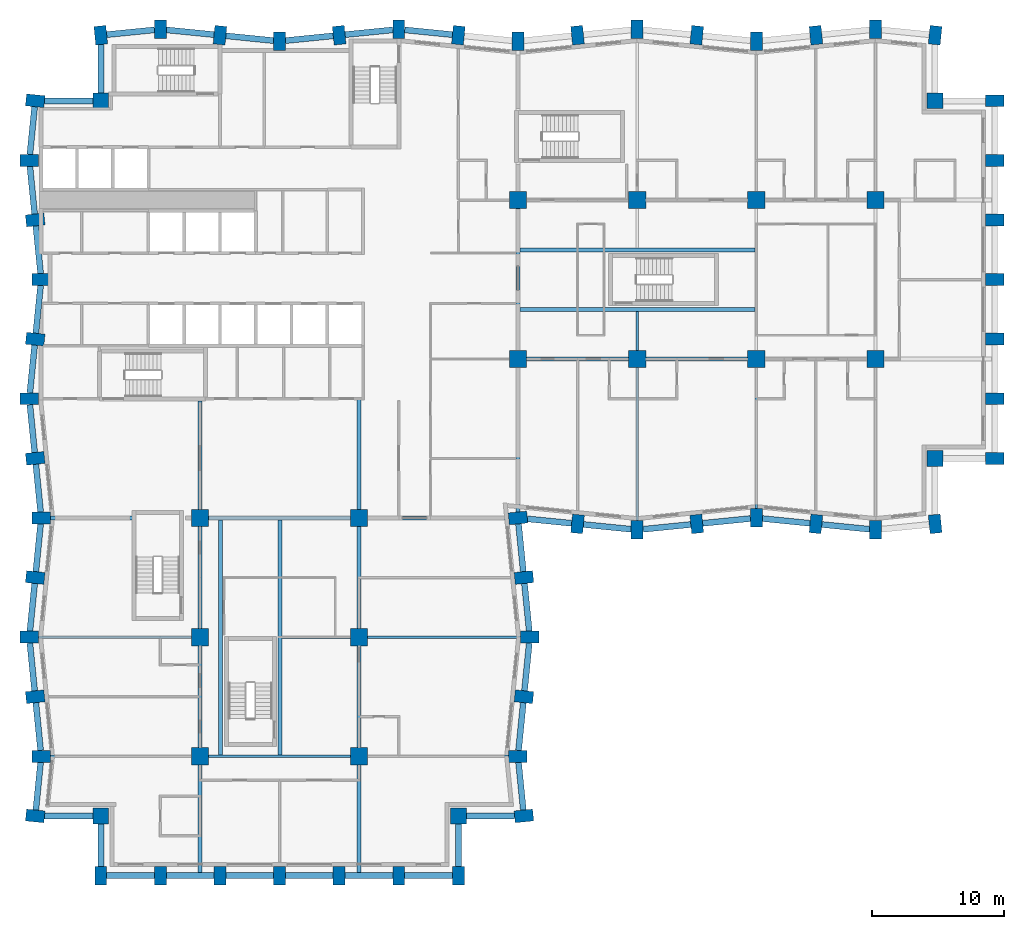
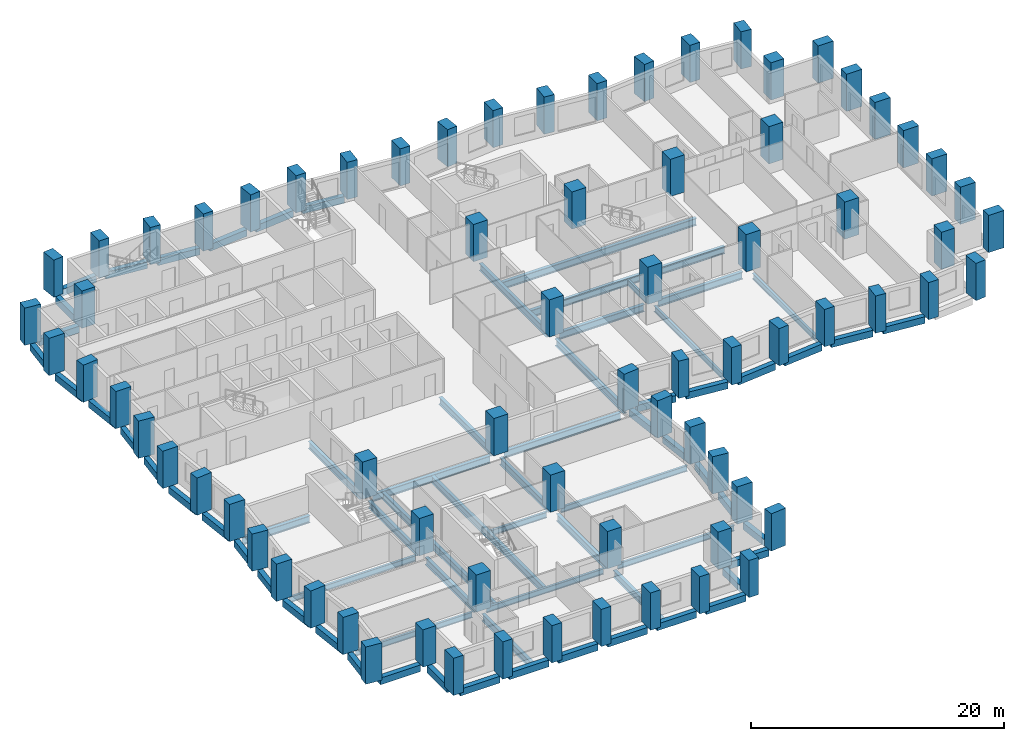
# One storey, part 1 of 13: 74 columns, 69 beams.
"""IFC4 building model written with IfcOpenShell, lengths in metres."""

import ifcopenshell
import ifcopenshell.guid

model = None  # the IFC model being written
_history = None  # IfcOwnerHistory: only IFC2X3 demands one
_inside = {}  # id of a spatial element -> (the spatial element, [elements in it])
_under = {}  # id of a project, library or spatial element -> (it, [spatial elements below it])
_declared = {}  # id of a project -> (the project, [libraries it declares])
_typed = {}  # id of a type object -> (the type object, [elements of that type])
_made_of = {}  # id of a material, layer set ... -> (it, [elements and type objects made of it])


def new_model(schema):
    """Start an empty IFC model of exactly this schema.

    Asked for "IFC4X3", IfcOpenShell would pick the latest addendum, in which some entities
    have other attributes; the version numbers below select the first issue.
    IFC2X3 requires an IfcOwnerHistory on every rooted entity: one is made here for all.
    """
    global model, _history
    if schema == "IFC4X3":
        model = ifcopenshell.file(schema_version=(4, 3, 0, 0))
    else:
        model = ifcopenshell.file(schema=schema)
    _inside.clear()
    _under.clear()
    _declared.clear()
    _typed.clear()
    _made_of.clear()
    _history = None
    if model.schema == "IFC2X3":
        org = make("IfcOrganization", Name="unknown")
        user = make(
            "IfcPersonAndOrganization",
            ThePerson=make("IfcPerson", FamilyName="unknown"),
            TheOrganization=org,
        )
        app = make(
            "IfcApplication",
            ApplicationDeveloper=org,
            Version="unknown",
            ApplicationFullName="unknown",
            ApplicationIdentifier="unknown",
        )
        _history = make(
            "IfcOwnerHistory",
            OwningUser=user,
            OwningApplication=app,
            ChangeAction="ADDED",
            CreationDate=0,
        )
    return model


def make(cls, **values):
    """One entity of the class cls with the attributes given. An attribute that is None is left unset."""
    return model.create_entity(
        cls, **{name: value for name, value in values.items() if value is not None}
    )


def rooted(cls, **values):
    """An entity with a GlobalId (a new one), such as an element, a storey or a relation."""
    return make(cls, GlobalId=ifcopenshell.guid.new(), OwnerHistory=_history, **values)


def si_unit(unit_type, name, prefix=None):
    """IfcSIUnit, for example si_unit("LENGTHUNIT", "METRE", prefix="MILLI")."""
    return make("IfcSIUnit", UnitType=unit_type, Prefix=prefix, Name=name)


def assignment(units):
    """IfcUnitAssignment: the units of a project."""
    return None if units is None else make("IfcUnitAssignment", Units=units)


def point(xyz):
    """IfcCartesianPoint."""
    return None if xyz is None else make("IfcCartesianPoint", Coordinates=xyz)


def direction(xyz):
    """IfcDirection."""
    return None if xyz is None else make("IfcDirection", DirectionRatios=xyz)


def frame(location, z_axis=None, x_axis=None):
    """IfcAxis2Placement3D, a coordinate frame: its origin and axes. An axis left out is left unset."""
    return make(
        "IfcAxis2Placement3D",
        Location=point(location),
        Axis=direction(z_axis),
        RefDirection=direction(x_axis),
    )


def frame_2d(location, x_axis=None):
    """IfcAxis2Placement2D, a coordinate frame in the plane: its origin and x axis."""
    return make(
        "IfcAxis2Placement2D", Location=point(location), RefDirection=direction(x_axis)
    )


def origin():
    """The frame at (0, 0, 0) with its axes left unset."""
    return frame((0.0, 0.0, 0.0))


def origin_2d():
    """The frame at (0, 0) in the plane with its x axis left unset."""
    return frame_2d((0.0, 0.0))


def place(relative_to, where):
    """IfcLocalPlacement: puts the frame where relative to a parent placement (None: the world)."""
    return make(
        "IfcLocalPlacement", PlacementRelTo=relative_to, RelativePlacement=where
    )


def context(
    kind, dimensions, precision=None, world=None, true_north=None, identifier=None
):
    """IfcGeometricRepresentationContext, for example the 3D "Model" context."""
    return make(
        "IfcGeometricRepresentationContext",
        ContextIdentifier=identifier,
        ContextType=kind,
        CoordinateSpaceDimension=dimensions,
        Precision=precision,
        WorldCoordinateSystem=world,
        TrueNorth=true_north,
    )


def subcontext(parent, identifier, kind, view, scale=None):
    """IfcGeometricRepresentationSubContext, for example "Body" below "Model"."""
    return make(
        "IfcGeometricRepresentationSubContext",
        ContextIdentifier=identifier,
        ContextType=kind,
        ParentContext=parent,
        TargetScale=scale,
        TargetView=view,
    )


def project(units=None, contexts=None):
    """IfcProject with its units and contexts."""
    return rooted(
        "IfcProject",
        Name="project",
        RepresentationContexts=contexts,
        UnitsInContext=assignment(units),
    )


def spatial(cls, under=None, at=None, **own):
    """A site, building, storey or space (cls), placed at a placement, below another one or the project."""
    s = rooted(cls, ObjectPlacement=at, **own)
    if under is not None:
        _under.setdefault(under.id(), (under, []))[1].append(s)
    return s


def profile(cls, at=None, kind="AREA", **sizes):
    """A parametric profile (cls). Its sizes go by their IFC names, for example OverallWidth=200.0."""
    return make(cls, ProfileType=kind, Position=at, **sizes)


def rectangle(**sizes):
    """IfcRectangleProfileDef."""
    return profile("IfcRectangleProfileDef", **sizes)


def i_section(**sizes):
    """IfcIShapeProfileDef."""
    return profile("IfcIShapeProfileDef", **sizes)


def extrude(swept, where, along, depth):
    """IfcExtrudedAreaSolid: the profile swept, set in the frame where, extruded along a direction by depth."""
    return make(
        "IfcExtrudedAreaSolid",
        SweptArea=swept,
        Position=where,
        ExtrudedDirection=direction(along),
        Depth=depth,
    )


def shape(context_of_items, identifier, shape_type, items):
    """IfcShapeRepresentation: the items that make up one representation, for example the "Body"."""
    return make(
        "IfcShapeRepresentation",
        ContextOfItems=context_of_items,
        RepresentationIdentifier=identifier,
        RepresentationType=shape_type,
        Items=items,
    )


def material(Name=None, Category=None):
    """IfcMaterial."""
    return make("IfcMaterial", Name=Name, Category=Category)


def material_profile(
    of_material, cross_section, Name=None, Category=None, Priority=None
):
    """IfcMaterialProfile: a cross section and its material."""
    return make(
        "IfcMaterialProfile",
        Name=Name,
        Material=of_material,
        Profile=cross_section,
        Priority=Priority,
        Category=Category,
    )


def profile_set(profiles, Name=None, composite=None):
    """IfcMaterialProfileSet."""
    return make(
        "IfcMaterialProfileSet",
        Name=Name,
        MaterialProfiles=profiles,
        CompositeProfile=composite,
    )


def made_of(thing, what):
    """Note that an element or type object is made of a material, layer set ...; save() writes the relation."""
    if what is not None:
        _made_of.setdefault(what.id(), (what, []))[1].append(thing)
    return thing


def type_object(cls, material=None, **own):
    """A type object (cls), such as IfcWallType, which elements share."""
    return made_of(rooted(cls, **own), material)


def element(
    cls,
    number,
    at=None,
    inside=None,
    cuts=None,
    type_object=None,
    material=None,
    context=None,
    identifier="Body",
    shape_type=None,
    held_by="IfcProductDefinitionShape",
    body=None,
    shapes=None,
    **own,
):
    """One element of the class cls, such as IfcWall. Its Tag is "e" and its number.

    at: its placement. inside: the storey or other place that contains it. cuts: it is an
    opening in that element (IfcRelVoidsElement). A single representation is given by context,
    identifier, shape_type and body (its items); several are given by shapes. held_by: the class
    of the entity that holds the representations. save() writes the other relations.
    """
    e = rooted(cls, Tag="e%d" % number, ObjectPlacement=at, **own)
    if body is not None:
        shapes = [shape(context, identifier, shape_type, body)]
    if shapes is not None:
        e.Representation = make(held_by, Representations=shapes)
    if inside is not None:
        _inside.setdefault(inside.id(), (inside, []))[1].append(e)
    if cuts is not None:
        rooted(
            "IfcRelVoidsElement", RelatingBuildingElement=cuts, RelatedOpeningElement=e
        )
    if type_object is not None:
        _typed.setdefault(type_object.id(), (type_object, []))[1].append(e)
    return made_of(e, material)


def aggregate(whole, parts):
    """IfcRelAggregates: a whole, such as a stair, and the parts it consists of."""
    return rooted("IfcRelAggregates", RelatingObject=whole, RelatedObjects=parts)


def save(model, path):
    """Write the relations noted so far, then the file.

    IfcRelAggregates (storeys below a building ...), IfcRelContainedInSpatialStructure (elements
    in a storey), IfcRelDefinesByType, IfcRelAssociatesMaterial and IfcRelDeclares: one each for
    every whole, place, type object, material and project.
    """
    for whole, parts in _under.values():
        aggregate(whole, parts)
    for where, things in _inside.values():
        rooted(
            "IfcRelContainedInSpatialStructure",
            RelatedElements=things,
            RelatingStructure=where,
        )
    for kind, things in _typed.values():
        rooted("IfcRelDefinesByType", RelatedObjects=things, RelatingType=kind)
    for what, things in _made_of.values():
        rooted("IfcRelAssociatesMaterial", RelatedObjects=things, RelatingMaterial=what)
    for by, libraries in _declared.values():
        rooted("IfcRelDeclares", RelatingContext=by, RelatedDefinitions=libraries)
    model.write(path)


model = new_model("IFC4")

# Units and contexts
model_context = context("Model", 3, precision=1e-05, world=origin(), true_north=direction((0.0, 1.0)))
body_context = subcontext(model_context, "Body", "Model", "MODEL_VIEW")
ifc_project = project(units=[si_unit("LENGTHUNIT", "METRE"), si_unit("AREAUNIT", "SQUARE_METRE"), si_unit("VOLUMEUNIT", "CUBIC_METRE"), si_unit("PLANEANGLEUNIT", "RADIAN"), si_unit("MASSUNIT", "GRAM", prefix="KILO")], contexts=[model_context])

# Site, building, storey
site_placement = place(None, origin())
site = spatial("IfcSite", under=ifc_project, at=site_placement, CompositionType="ELEMENT")
building_placement = place(site_placement, origin())
building = spatial("IfcBuilding", under=site, at=building_placement, Name="Brondeck Convention Tower", CompositionType="ELEMENT")
storey_placement = place(building_placement, frame((0.0, 0.0, 73.5)))
storey = spatial("IfcBuildingStorey", under=building, at=storey_placement, Name="L16", CompositionType="ELEMENT", Elevation=73.5)

# Columns
ifc_material_1 = material(Name="Concrete C80/95", Category="concrete")
ifc_material_profile_1 = material_profile(ifc_material_1, rectangle(XDim=1.199951171875, YDim=1.199951171875, at=origin_2d()), Name="Corner column 1200x1200 Concrete C80/95")
ifc_profile_set_1 = profile_set([ifc_material_profile_1], Name="Concrete C80/95")
column_type_1 = type_object("IfcColumnType", Name="Corner column 1200x1200 Concrete C80/95", PredefinedType="COLUMN", material=ifc_profile_set_1)
for number, where, z_axis, x_axis, name in (
    (1, (4.5, 4.5, 0.0), (0.0, 0.0, 1.0), (1.0, 0.0, 0.0), "STR-COL-L16-NC-SWB0"),
    (2, (31.5, 4.5, 0.0), (0.0, 0.0, 1.0), (1.0, 0.0, 0.0), "STR-COL-L16-NC-SEB0"),
    (3, (67.5, 31.5, 0.0), (0.0, 0.0, 1.0), (1.0, 0.0, 0.0), "STR-COL-L16-NC-SEA72"),
    (4, (67.5, 58.5, 0.0), (0.0, 0.0, 1.0), (1.0, 0.0, 0.0), "STR-COL-L16-NC-NEA72"),
    (5, (4.5, 58.5, 0.0), (0.0, 0.0, 1.0), (1.0, 0.0, 0.0), "STR-COL-L16-NC-NW"),
):
    element("IfcColumn", number, at=place(storey_placement, frame(where, z_axis=z_axis, x_axis=x_axis)), inside=storey, type_object=column_type_1, Name=name, PredefinedType="COLUMN", context=body_context, shape_type="SweptSolid", body=[
        extrude(rectangle(XDim=1.199951171875, YDim=1.199951171875, at=origin_2d()), origin(), (0.0, 0.0, 1.0), 3.60009765625),
    ])
ifc_material_profile_2 = material_profile(ifc_material_1, rectangle(XDim=1.300048828125, YDim=1.300048828125, at=origin_2d()), Name="Interior column 1300x1300 Concrete C80/95")
ifc_profile_set_2 = profile_set([ifc_material_profile_2], Name="Concrete C80/95")
column_type_2 = type_object("IfcColumnType", Name="Interior column 1300x1300 Concrete C80/95", PredefinedType="COLUMN", material=ifc_profile_set_2)
for number, where, z_axis, x_axis, name in (
    (6, (12.0, 9.0, 0.0), (0.0, 0.0, 1.0), (1.0, 0.0, 0.0), "STR-COL-L16-IC-01"),
    (7, (12.0, 18.0, 0.0), (0.0, 0.0, 1.0), (1.0, 0.0, 0.0), "STR-COL-L16-IC-02"),
    (8, (12.0, 27.0, 0.0), (0.0, 0.0, 1.0), (1.0, 0.0, 0.0), "STR-COL-L16-IC-03"),
    (9, (24.0, 9.0, 0.0), (0.0, 0.0, 1.0), (1.0, 0.0, 0.0), "STR-COL-L16-IC-04"),
    (10, (24.0, 18.0, 0.0), (0.0, 0.0, 1.0), (1.0, 0.0, 0.0), "STR-COL-L16-IC-05"),
    (11, (24.0, 27.0, 0.0), (0.0, 0.0, 1.0), (1.0, 0.0, 0.0), "STR-COL-L16-IC-06"),
    (12, (36.0, 39.0, 0.0), (0.0, 0.0, 1.0), (1.0, 0.0, 0.0), "STR-COL-L16-IC-07"),
    (13, (36.0, 51.0, 0.0), (0.0, 0.0, 1.0), (1.0, 0.0, 0.0), "STR-COL-L16-IC-08"),
    (14, (45.0, 39.0, 0.0), (0.0, 0.0, 1.0), (1.0, 0.0, 0.0), "STR-COL-L16-IC-09"),
    (15, (45.0, 51.0, 0.0), (0.0, 0.0, 1.0), (1.0, 0.0, 0.0), "STR-COL-L16-IC-10"),
    (16, (54.0, 39.0, 0.0), (0.0, 0.0, 1.0), (1.0, 0.0, 0.0), "STR-COL-L16-IC-11"),
    (17, (54.0, 51.0, 0.0), (0.0, 0.0, 1.0), (1.0, 0.0, 0.0), "STR-COL-L16-IC-12"),
    (18, (63.0, 39.0, 0.0), (0.0, 0.0, 1.0), (1.0, 0.0, 0.0), "STR-COL-L16-IC-13"),
    (19, (63.0, 51.0, 0.0), (0.0, 0.0, 1.0), (1.0, 0.0, 0.0), "STR-COL-L16-IC-14"),
):
    element("IfcColumn", number, at=place(storey_placement, frame(where, z_axis=z_axis, x_axis=x_axis)), inside=storey, type_object=column_type_2, Name=name, PredefinedType="COLUMN", context=body_context, shape_type="SweptSolid", body=[
        extrude(rectangle(XDim=1.300048828125, YDim=1.300048828125, at=origin_2d()), origin(), (0.0, 0.0, 1.0), 3.60009765625),
    ])
ifc_material_profile_3 = material_profile(ifc_material_1, rectangle(XDim=0.89990234375, YDim=1.39990234375, at=origin_2d()), Name="Perimeter pier 900x1400 Concrete C80/95")
ifc_profile_set_3 = profile_set([ifc_material_profile_3], Name="Concrete C80/95")
column_type_3 = type_object("IfcColumnType", Name="Perimeter pier 900x1400 Concrete C80/95", PredefinedType="COLUMN", material=ifc_profile_set_3)
for number, where, z_axis, x_axis, name in (
    (20, (4.5, 0.0, 0.0), (0.0, 0.0, 1.0), (1.0, 0.0, 0.0), "STR-COL-L16-PC-B-S0-01"),
    (21, (9.0, 0.0, 0.0), (0.0, 0.0, 1.0), (1.0, 0.0, 0.0), "STR-COL-L16-PC-B-S0-02"),
    (22, (13.5, 0.0, 0.0), (0.0, 0.0, 1.0), (1.0, 0.0, 0.0), "STR-COL-L16-PC-B-S0-03"),
    (23, (18.0, 0.0, 0.0), (0.0, 0.0, 1.0), (1.0, 0.0, 0.0), "STR-COL-L16-PC-B-S0-04"),
    (24, (22.5, 0.0, 0.0), (0.0, 0.0, 1.0), (1.0, 0.0, 0.0), "STR-COL-L16-PC-B-S0-05"),
    (25, (27.0, 0.0, 0.0), (0.0, 0.0, 1.0), (1.0, 0.0, 0.0), "STR-COL-L16-PC-B-S0-06"),
    (26, (31.5, 0.0, 0.0), (0.0, 0.0, 1.0), (1.0, 0.0, 0.0), "STR-COL-L16-PC-B-S0-07"),
    (27, (36.449951171875, 4.5, 0.0), (0.0, 0.0, 1.0), (-0.0995038382, 0.995037178292, 0.0), "STR-COL-L16-PC-B-E-05"),
    (28, (36.0, 9.0, 0.0), (0.0, 0.0, 1.0), (0.0, 1.0, 0.0), "STR-COL-L16-PC-B-E-04"),
    (29, (36.449951171875, 13.5, 0.0), (0.0, 0.0, 1.0), (0.0995038382, 0.995037178292, 0.0), "STR-COL-L16-PC-B-E-03"),
    (30, (36.89990234375, 18.0, 0.0), (0.0, 0.0, 1.0), (0.0, 1.0, 0.0), "STR-COL-L16-PC-B-E-02"),
    (31, (36.449951171875, 22.5, 0.0), (0.0, 0.0, 1.0), (-0.0995038382, 0.995037178292, 0.0), "STR-COL-L16-PC-B-E-01"),
    (32, (36.0, 27.0, 0.0), (0.0, 0.0, 1.0), (-0.0995038382, 0.995037178292, 0.0), "STR-COL-L16-PC-B-E-00"),
    (33, (40.5, 26.550048828125, 0.0), (0.0, 0.0, 1.0), (0.995037178292, -0.0995038382, 0.0), "STR-COL-L16-PC-A-S-01"),
    (34, (45.0, 26.10009765625, 0.0), (0.0, 0.0, 1.0), (1.0, 0.0, 0.0), "STR-COL-L16-PC-A-S-02"),
    (35, (49.5, 26.550048828125, 0.0), (0.0, 0.0, 1.0), (0.995037178292, 0.0995038382, 0.0), "STR-COL-L16-PC-A-S-03"),
    (36, (54.0, 27.0, 0.0), (0.0, 0.0, 1.0), (1.0, 0.0, 0.0), "STR-COL-L16-PC-A-S-04"),
    (37, (58.5, 26.550048828125, 0.0), (0.0, 0.0, 1.0), (0.995037178292, -0.0995038382, 0.0), "STR-COL-L16-PC-A-S-05"),
    (38, (63.0, 26.10009765625, 0.0), (0.0, 0.0, 1.0), (1.0, 0.0, 0.0), "STR-COL-L16-PC-A-S-06"),
    (39, (67.5, 26.550048828125, 0.0), (0.0, 0.0, 1.0), (0.995037178292, 0.0995038382, 0.0), "STR-COL-L16-PC-A-S-07"),
    (40, (72.0, 31.5, 0.0), (0.0, 0.0, 1.0), (0.0, 1.0, 0.0), "STR-COL-L16-PC-A-E72-01"),
    (41, (72.0, 36.0, 0.0), (0.0, 0.0, 1.0), (0.0, 1.0, 0.0), "STR-COL-L16-PC-A-E72-02"),
    (42, (72.0, 40.5, 0.0), (0.0, 0.0, 1.0), (0.0, 1.0, 0.0), "STR-COL-L16-PC-A-E72-03"),
    (43, (72.0, 45.0, 0.0), (0.0, 0.0, 1.0), (0.0, 1.0, 0.0), "STR-COL-L16-PC-A-E72-04"),
    (44, (72.0, 49.5, 0.0), (0.0, 0.0, 1.0), (0.0, 1.0, 0.0), "STR-COL-L16-PC-A-E72-05"),
    (45, (72.0, 54.0, 0.0), (0.0, 0.0, 1.0), (0.0, 1.0, 0.0), "STR-COL-L16-PC-A-E72-06"),
    (46, (72.0, 58.5, 0.0), (0.0, 0.0, 1.0), (0.0, 1.0, 0.0), "STR-COL-L16-PC-A-E72-07"),
    (47, (67.5, 63.449951171875, 0.0), (0.0, 0.0, 1.0), (-0.995037178292, 0.0995038382, 0.0), "STR-COL-L16-PC-A-N-15"),
    (48, (63.0, 63.89990234375, 0.0), (0.0, 0.0, 1.0), (-1.0, 0.0, 0.0), "STR-COL-L16-PC-A-N-14"),
    (49, (58.5, 63.449951171875, 0.0), (0.0, 0.0, 1.0), (-0.995037178292, -0.0995038382, 0.0), "STR-COL-L16-PC-A-N-13"),
    (50, (54.0, 63.0, 0.0), (0.0, 0.0, 1.0), (-1.0, 0.0, 0.0), "STR-COL-L16-PC-A-N-12"),
    (51, (49.5, 63.449951171875, 0.0), (0.0, 0.0, 1.0), (-0.995037178292, 0.0995038382, 0.0), "STR-COL-L16-PC-A-N-11"),
    (52, (45.0, 63.89990234375, 0.0), (0.0, 0.0, 1.0), (-1.0, 0.0, 0.0), "STR-COL-L16-PC-A-N-10"),
    (53, (40.5, 63.449951171875, 0.0), (0.0, 0.0, 1.0), (-0.995037178292, -0.0995038382, 0.0), "STR-COL-L16-PC-A-N-09"),
    (54, (36.0, 63.0, 0.0), (0.0, 0.0, 1.0), (-1.0, 0.0, 0.0), "STR-COL-L16-PC-A-N-08"),
    (55, (31.5, 63.449951171875, 0.0), (0.0, 0.0, 1.0), (-0.995037178292, 0.0995038382, 0.0), "STR-COL-L16-PC-A-N-07"),
    (56, (27.0, 63.89990234375, 0.0), (0.0, 0.0, 1.0), (-1.0, 0.0, 0.0), "STR-COL-L16-PC-A-N-06"),
    (57, (22.5, 63.449951171875, 0.0), (0.0, 0.0, 1.0), (-0.995037178292, -0.0995038382, 0.0), "STR-COL-L16-PC-A-N-05"),
    (58, (18.0, 63.0, 0.0), (0.0, 0.0, 1.0), (-1.0, 0.0, 0.0), "STR-COL-L16-PC-A-N-04"),
    (59, (13.5, 63.449951171875, 0.0), (0.0, 0.0, 1.0), (-0.995037178292, 0.0995038382, 0.0), "STR-COL-L16-PC-A-N-03"),
    (60, (9.0, 63.89990234375, 0.0), (0.0, 0.0, 1.0), (-1.0, 0.0, 0.0), "STR-COL-L16-PC-A-N-02"),
    (61, (4.5, 63.449951171875, 0.0), (0.0, 0.0, 1.0), (-0.995037178292, -0.0995038382, 0.0), "STR-COL-L16-PC-A-N-01"),
    (62, (-0.449951171875, 58.5, 0.0), (0.0, 0.0, 1.0), (-0.0995038382, -0.995037178292, 0.0), "STR-COL-L16-PC-B-W-01"),
    (63, (-0.89990234375, 54.0, 0.0), (0.0, 0.0, 1.0), (0.0, -1.0, 0.0), "STR-COL-L16-PC-B-W-02"),
    (64, (-0.449951171875, 49.5, 0.0), (0.0, 0.0, 1.0), (0.0995038382, -0.995037178292, 0.0), "STR-COL-L16-PC-B-W-03"),
    (65, (0.0, 45.0, 0.0), (0.0, 0.0, 1.0), (0.0, -1.0, 0.0), "STR-COL-L16-PC-B-W-04"),
    (66, (-0.449951171875, 40.5, 0.0), (0.0, 0.0, 1.0), (-0.0995038382, -0.995037178292, 0.0), "STR-COL-L16-PC-B-W-05"),
    (67, (-0.89990234375, 36.0, 0.0), (0.0, 0.0, 1.0), (0.0, -1.0, 0.0), "STR-COL-L16-PC-B-W-06"),
    (68, (-0.449951171875, 31.5, 0.0), (0.0, 0.0, 1.0), (0.0995038382, -0.995037178292, 0.0), "STR-COL-L16-PC-B-W-07"),
    (69, (0.0, 27.0, 0.0), (0.0, 0.0, 1.0), (0.0, -1.0, 0.0), "STR-COL-L16-PC-B-W-08"),
    (70, (-0.449951171875, 22.5, 0.0), (0.0, 0.0, 1.0), (-0.0995038382, -0.995037178292, 0.0), "STR-COL-L16-PC-B-W-09"),
    (71, (-0.89990234375, 18.0, 0.0), (0.0, 0.0, 1.0), (0.0, -1.0, 0.0), "STR-COL-L16-PC-B-W-10"),
    (72, (-0.449951171875, 13.5, 0.0), (0.0, 0.0, 1.0), (0.0995038382, -0.995037178292, 0.0), "STR-COL-L16-PC-B-W-11"),
    (73, (0.0, 9.0, 0.0), (0.0, 0.0, 1.0), (0.0, -1.0, 0.0), "STR-COL-L16-PC-B-W-12"),
    (74, (-0.449951171875, 4.5, 0.0), (0.0, 0.0, 1.0), (-0.0995038382, -0.995037178292, 0.0), "STR-COL-L16-PC-B-W-13"),
):
    element("IfcColumn", number, at=place(storey_placement, frame(where, z_axis=z_axis, x_axis=x_axis)), inside=storey, type_object=column_type_3, Name=name, PredefinedType="COLUMN", context=body_context, shape_type="SweptSolid", body=[
        extrude(rectangle(XDim=0.89990234375, YDim=1.39990234375, at=origin_2d()), origin(), (0.0, 0.0, 1.0), 3.60009765625),
    ])

# Beams
ifc_material_2 = material(Name="Steel S355", Category="steel")
ifc_material_profile_4 = material_profile(ifc_material_2, i_section(OverallWidth=0.2099609375, OverallDepth=0.550048828125, WebThickness=0.010986328125, FlangeThickness=0.01708984375, FilletRadius=0.02392578125, at=origin_2d()), Name="IPE 550")
ifc_profile_set_4 = profile_set([ifc_material_profile_4], Name="Steel S355")
beam_type_1 = type_object("IfcBeamType", Name="Floor beam IPE 550", PredefinedType="BEAM", material=ifc_profile_set_4)
beam_1_placement = place(storey_placement, frame((45.0, 26.800048828125, -0.574951171875), z_axis=(0.0, 1.0, 0.0), x_axis=(-1.0, 0.0, 0.0)))
element("IfcBeam", 75, at=beam_1_placement, inside=storey, type_object=beam_type_1, Name="STR-FB-L16-001", PredefinedType="BEAM", context=body_context, shape_type="SweptSolid", body=[
    extrude(i_section(OverallWidth=0.2099609375, OverallDepth=0.550048828125, WebThickness=0.010986328125, FlangeThickness=0.01708984375, FilletRadius=0.02392578125, at=origin_2d()), origin(), (0.0, 0.0, 1.0), 11.550048828125),
])
for number, where, z_axis, x_axis, name in (
    (76, (54.0, 27.699951171875, -0.574951171875), (0.0, 1.0, 0.0), (-1.0, 0.0, 0.0), "STR-FB-L16-003"),
    (77, (0.699951171875, 9.0, -0.574951171875), (1.0, 0.0, 0.0), (0.0, 1.0, 0.0), "STR-FB-L16-009"),
):
    element("IfcBeam", number, at=place(storey_placement, frame(where, z_axis=z_axis, x_axis=x_axis)), inside=storey, type_object=beam_type_1, Name=name, PredefinedType="BEAM", context=body_context, shape_type="SweptSolid", body=[
        extrude(i_section(OverallWidth=0.2099609375, OverallDepth=0.550048828125, WebThickness=0.010986328125, FlangeThickness=0.01708984375, FilletRadius=0.02392578125, at=origin_2d()), origin(), (0.0, 0.0, 1.0), 10.650146484375),
    ])
beam_2_placement = place(storey_placement, frame((12.64990234375, 9.0, -0.574951171875), z_axis=(1.0, 0.0, 0.0), x_axis=(0.0, 1.0, 0.0)))
element("IfcBeam", 78, at=beam_2_placement, inside=storey, type_object=beam_type_1, Name="STR-FB-L16-010", PredefinedType="BEAM", context=body_context, shape_type="SweptSolid", body=[
    extrude(i_section(OverallWidth=0.2099609375, OverallDepth=0.550048828125, WebThickness=0.010986328125, FlangeThickness=0.01708984375, FilletRadius=0.02392578125, at=origin_2d()), origin(), (0.0, 0.0, 1.0), 10.7001953125),
])
beam_3_placement = place(storey_placement, frame((24.64990234375, 9.0, -0.574951171875), z_axis=(1.0, 0.0, 0.0), x_axis=(0.0, 1.0, 0.0)))
element("IfcBeam", 79, at=beam_3_placement, inside=storey, type_object=beam_type_1, Name="STR-FB-L16-011", PredefinedType="BEAM", context=body_context, shape_type="SweptSolid", body=[
    extrude(i_section(OverallWidth=0.2099609375, OverallDepth=0.550048828125, WebThickness=0.010986328125, FlangeThickness=0.01708984375, FilletRadius=0.02392578125, at=origin_2d()), origin(), (0.0, 0.0, 1.0), 10.650146484375),
])
for number, where, z_axis, x_axis, name in (
    (80, (-0.199951171875, 18.0, -0.574951171875), (1.0, 0.0, 0.0), (0.0, 1.0, 0.0), "STR-FB-L16-012"),
    (81, (24.64990234375, 18.0, -0.574951171875), (1.0, 0.0, 0.0), (0.0, 1.0, 0.0), "STR-FB-L16-013"),
):
    element("IfcBeam", number, at=place(storey_placement, frame(where, z_axis=z_axis, x_axis=x_axis)), inside=storey, type_object=beam_type_1, Name=name, PredefinedType="BEAM", context=body_context, shape_type="SweptSolid", body=[
        extrude(i_section(OverallWidth=0.2099609375, OverallDepth=0.550048828125, WebThickness=0.010986328125, FlangeThickness=0.01708984375, FilletRadius=0.02392578125, at=origin_2d()), origin(), (0.0, 0.0, 1.0), 11.550048828125),
    ])
beam_4_placement = place(storey_placement, frame((45.0, 39.64990234375, -0.574951171875), z_axis=(0.0, 1.0, 0.0), x_axis=(-1.0, 0.0, 0.0)))
element("IfcBeam", 82, at=beam_4_placement, inside=storey, type_object=beam_type_1, Name="STR-FB-L16-014", PredefinedType="BEAM", context=body_context, shape_type="SweptSolid", body=[
    extrude(i_section(OverallWidth=0.2099609375, OverallDepth=0.550048828125, WebThickness=0.010986328125, FlangeThickness=0.01708984375, FilletRadius=0.02392578125, at=origin_2d()), origin(), (0.0, 0.0, 1.0), 2.9501953125),
])
beam_5_placement = place(storey_placement, frame((18.199951171875, 18.0, -0.574951171875), z_axis=(1.0, 0.0, 0.0), x_axis=(0.0, 1.0, 0.0)))
element("IfcBeam", 83, at=beam_5_placement, inside=storey, type_object=beam_type_1, Name="STR-FB-L16-016", PredefinedType="BEAM", context=body_context, shape_type="SweptSolid", body=[
    extrude(i_section(OverallWidth=0.2099609375, OverallDepth=0.550048828125, WebThickness=0.010986328125, FlangeThickness=0.01708984375, FilletRadius=0.02392578125, at=origin_2d()), origin(), (0.0, 0.0, 1.0), 5.150146484375),
])
ifc_material_profile_5 = material_profile(ifc_material_2, i_section(OverallWidth=0.300048828125, OverallDepth=0.699951171875, WebThickness=0.01708984375, FlangeThickness=0.031982421875, FilletRadius=0.027099609375, at=origin_2d()), Name="HEB 700")
ifc_profile_set_5 = profile_set([ifc_material_profile_5], Name="Steel S355")
beam_type_2 = type_object("IfcBeamType", Name="Girder HEB 700", PredefinedType="BEAM", material=ifc_profile_set_5)
for number, where, z_axis, x_axis, name in (
    (84, (36.64990234375, 39.0, -0.64990234375), (1.0, 0.0, 0.0), (0.0, 1.0, 0.0), "STR-GR-L16-001"),
    (85, (45.64990234375, 39.0, -0.64990234375), (1.0, 0.0, 0.0), (0.0, 1.0, 0.0), "STR-GR-L16-002"),
):
    element("IfcBeam", number, at=place(storey_placement, frame(where, z_axis=z_axis, x_axis=x_axis)), inside=storey, type_object=beam_type_2, Name=name, PredefinedType="BEAM", context=body_context, shape_type="SweptSolid", body=[
        extrude(i_section(OverallWidth=0.300048828125, OverallDepth=0.699951171875, WebThickness=0.01708984375, FlangeThickness=0.031982421875, FilletRadius=0.027099609375, at=origin_2d()), origin(), (0.0, 0.0, 1.0), 7.7001953125),
    ])
beam_6_placement = place(storey_placement, frame((36.0, 27.4521484375, -0.64990234375), z_axis=(0.0, 1.0, 0.0), x_axis=(-1.0, 0.0, 0.0)))
element("IfcBeam", 86, at=beam_6_placement, inside=storey, type_object=beam_type_2, Name="STR-GR-L16-009", PredefinedType="BEAM", context=body_context, shape_type="SweptSolid", body=[
    extrude(i_section(OverallWidth=0.300048828125, OverallDepth=0.699951171875, WebThickness=0.01708984375, FlangeThickness=0.031982421875, FilletRadius=0.027099609375, at=origin_2d()), origin(), (0.0, 0.0, 1.0), 10.89794921875),
])
beam_7_placement = place(storey_placement, frame((36.0, 39.64990234375, -0.64990234375), z_axis=(0.0, 1.0, 0.0), x_axis=(-1.0, 0.0, 0.0)))
element("IfcBeam", 87, at=beam_7_placement, inside=storey, type_object=beam_type_2, Name="STR-GR-L16-010", PredefinedType="BEAM", context=body_context, shape_type="SweptSolid", body=[
    extrude(i_section(OverallWidth=0.300048828125, OverallDepth=0.699951171875, WebThickness=0.01708984375, FlangeThickness=0.031982421875, FilletRadius=0.027099609375, at=origin_2d()), origin(), (0.0, 0.0, 1.0), 10.7001953125),
])
beam_8_placement = place(storey_placement, frame((12.0, 35.85009765625, -0.64990234375), z_axis=(0.0, -1.0, 0.0), x_axis=(1.0, 0.0, 0.0)))
element("IfcBeam", 88, at=beam_8_placement, inside=storey, type_object=beam_type_2, Name="STR-GR-L16-013", PredefinedType="BEAM", context=body_context, shape_type="SweptSolid", body=[
    extrude(i_section(OverallWidth=0.300048828125, OverallDepth=0.699951171875, WebThickness=0.01708984375, FlangeThickness=0.031982421875, FilletRadius=0.027099609375, at=origin_2d()), origin(), (0.0, 0.0, 1.0), 8.2001953125),
])
for number, where, z_axis, x_axis, name in (
    (89, (12.0, 26.35009765625, -0.64990234375), (0.0, -1.0, 0.0), (1.0, 0.0, 0.0), "STR-GR-L16-014"),
    (90, (12.0, 17.35009765625, -0.64990234375), (0.0, -1.0, 0.0), (1.0, 0.0, 0.0), "STR-GR-L16-015"),
):
    element("IfcBeam", number, at=place(storey_placement, frame(where, z_axis=z_axis, x_axis=x_axis)), inside=storey, type_object=beam_type_2, Name=name, PredefinedType="BEAM", context=body_context, shape_type="SweptSolid", body=[
        extrude(i_section(OverallWidth=0.300048828125, OverallDepth=0.699951171875, WebThickness=0.01708984375, FlangeThickness=0.031982421875, FilletRadius=0.027099609375, at=origin_2d()), origin(), (0.0, 0.0, 1.0), 7.7001953125),
    ])
beam_9_placement = place(storey_placement, frame((12.0, 8.35009765625, -0.64990234375), z_axis=(0.0, -1.0, 0.0), x_axis=(1.0, 0.0, 0.0)))
element("IfcBeam", 91, at=beam_9_placement, inside=storey, type_object=beam_type_2, Name="STR-GR-L16-016", PredefinedType="BEAM", context=body_context, shape_type="SweptSolid", body=[
    extrude(i_section(OverallWidth=0.300048828125, OverallDepth=0.699951171875, WebThickness=0.01708984375, FlangeThickness=0.031982421875, FilletRadius=0.027099609375, at=origin_2d()), origin(), (0.0, 0.0, 1.0), 8.125),
])
beam_10_placement = place(storey_placement, frame((24.0, 35.955078125, -0.64990234375), z_axis=(0.0, -1.0, 0.0), x_axis=(1.0, 0.0, 0.0)))
element("IfcBeam", 92, at=beam_10_placement, inside=storey, type_object=beam_type_2, Name="STR-GR-L16-017", PredefinedType="BEAM", context=body_context, shape_type="SweptSolid", body=[
    extrude(i_section(OverallWidth=0.300048828125, OverallDepth=0.699951171875, WebThickness=0.01708984375, FlangeThickness=0.031982421875, FilletRadius=0.027099609375, at=origin_2d()), origin(), (0.0, 0.0, 1.0), 8.30517578125),
])
for number, where, z_axis, x_axis, name in (
    (93, (24.0, 26.35009765625, -0.64990234375), (0.0, -1.0, 0.0), (1.0, 0.0, 0.0), "STR-GR-L16-018"),
    (94, (24.0, 17.35009765625, -0.64990234375), (0.0, -1.0, 0.0), (1.0, 0.0, 0.0), "STR-GR-L16-019"),
):
    element("IfcBeam", number, at=place(storey_placement, frame(where, z_axis=z_axis, x_axis=x_axis)), inside=storey, type_object=beam_type_2, Name=name, PredefinedType="BEAM", context=body_context, shape_type="SweptSolid", body=[
        extrude(i_section(OverallWidth=0.300048828125, OverallDepth=0.699951171875, WebThickness=0.01708984375, FlangeThickness=0.031982421875, FilletRadius=0.027099609375, at=origin_2d()), origin(), (0.0, 0.0, 1.0), 7.7001953125),
    ])
beam_11_placement = place(storey_placement, frame((24.0, 8.35009765625, -0.64990234375), z_axis=(0.0, -1.0, 0.0), x_axis=(1.0, 0.0, 0.0)))
element("IfcBeam", 95, at=beam_11_placement, inside=storey, type_object=beam_type_2, Name="STR-GR-L16-020", PredefinedType="BEAM", context=body_context, shape_type="SweptSolid", body=[
    extrude(i_section(OverallWidth=0.300048828125, OverallDepth=0.699951171875, WebThickness=0.01708984375, FlangeThickness=0.031982421875, FilletRadius=0.027099609375, at=origin_2d()), origin(), (0.0, 0.0, 1.0), 8.125),
])
beam_12_placement = place(storey_placement, frame((0.699951171875, 27.0, -0.64990234375), z_axis=(1.0, 0.0, 0.0), x_axis=(0.0, 1.0, 0.0)))
element("IfcBeam", 96, at=beam_12_placement, inside=storey, type_object=beam_type_2, Name="STR-GR-L16-021", PredefinedType="BEAM", context=body_context, shape_type="SweptSolid", body=[
    extrude(i_section(OverallWidth=0.300048828125, OverallDepth=0.699951171875, WebThickness=0.01708984375, FlangeThickness=0.031982421875, FilletRadius=0.027099609375, at=origin_2d()), origin(), (0.0, 0.0, 1.0), 6.179931640625),
])
beam_13_placement = place(storey_placement, frame((12.64990234375, 27.0, -0.64990234375), z_axis=(1.0, 0.0, 0.0), x_axis=(0.0, 1.0, 0.0)))
element("IfcBeam", 97, at=beam_13_placement, inside=storey, type_object=beam_type_2, Name="STR-GR-L16-022", PredefinedType="BEAM", context=body_context, shape_type="SweptSolid", body=[
    extrude(i_section(OverallWidth=0.300048828125, OverallDepth=0.699951171875, WebThickness=0.01708984375, FlangeThickness=0.031982421875, FilletRadius=0.027099609375, at=origin_2d()), origin(), (0.0, 0.0, 1.0), 10.7001953125),
])
beam_14_placement = place(storey_placement, frame((24.64990234375, 27.0, -0.64990234375), z_axis=(1.0, 0.0, 0.0), x_axis=(0.0, 1.0, 0.0)))
element("IfcBeam", 98, at=beam_14_placement, inside=storey, type_object=beam_type_2, Name="STR-GR-L16-023", PredefinedType="BEAM", context=body_context, shape_type="SweptSolid", body=[
    extrude(i_section(OverallWidth=0.300048828125, OverallDepth=0.699951171875, WebThickness=0.01708984375, FlangeThickness=0.031982421875, FilletRadius=0.027099609375, at=origin_2d()), origin(), (0.0, 0.0, 1.0), 10.646484375),
])
for number, where, z_axis, x_axis, name in (
    (99, (36.14990234375, 42.75, -0.64990234375), (1.0, 0.0, 0.0), (0.0, 1.0, 0.0), "STR-GR-L16-024"),
    (100, (36.14990234375, 47.25, -0.64990234375), (1.0, 0.0, 0.0), (0.0, 1.0, 0.0), "STR-GR-L16-025"),
    (101, (13.550048828125, 9.10498046875, -0.64990234375), (0.0, 1.0, 0.0), (-1.0, 0.0, 0.0), "STR-GR-L16-026"),
    (102, (18.050048828125, 9.10498046875, -0.64990234375), (0.0, 1.0, 0.0), (-1.0, 0.0, 0.0), "STR-GR-L16-027"),
):
    element("IfcBeam", number, at=place(storey_placement, frame(where, z_axis=z_axis, x_axis=x_axis)), inside=storey, type_object=beam_type_2, Name=name, PredefinedType="BEAM", context=body_context, shape_type="SweptSolid", body=[
        extrude(i_section(OverallWidth=0.300048828125, OverallDepth=0.699951171875, WebThickness=0.01708984375, FlangeThickness=0.031982421875, FilletRadius=0.027099609375, at=origin_2d()), origin(), (0.0, 0.0, 1.0), 17.7451171875),
    ])
ifc_material_profile_6 = material_profile(ifc_material_1, rectangle(XDim=0.449951171875, YDim=0.64990234375, at=origin_2d()), Name="Precast spandrel 450x650 Concrete C80/95")
ifc_profile_set_6 = profile_set([ifc_material_profile_6], Name="Concrete C80/95")
beam_type_3 = type_object("IfcBeamType", Name="Precast spandrel 450x650 Concrete C80/95", PredefinedType="SPANDREL", material=ifc_profile_set_6)
for number, where, z_axis, x_axis, name in (
    (103, (4.949951171875, 0.0, -0.324951171875), (1.0, 0.0, 0.0), (0.0, 1.0, 0.0), "STR-SP-L16-001"),
    (104, (9.449951171875, 0.0, -0.324951171875), (1.0, 0.0, 0.0), (0.0, 1.0, 0.0), "STR-SP-L16-002"),
    (105, (13.949951171875, 0.0, -0.324951171875), (1.0, 0.0, 0.0), (0.0, 1.0, 0.0), "STR-SP-L16-003"),
    (106, (18.449951171875, 0.0, -0.324951171875), (1.0, 0.0, 0.0), (0.0, 1.0, 0.0), "STR-SP-L16-004"),
    (107, (22.949951171875, 0.0, -0.324951171875), (1.0, 0.0, 0.0), (0.0, 1.0, 0.0), "STR-SP-L16-005"),
    (108, (27.449951171875, 0.0, -0.324951171875), (1.0, 0.0, 0.0), (0.0, 1.0, 0.0), "STR-SP-L16-006"),
):
    element("IfcBeam", number, at=place(storey_placement, frame(where, z_axis=z_axis, x_axis=x_axis)), inside=storey, type_object=beam_type_3, Name=name, PredefinedType="SPANDREL", context=body_context, shape_type="SweptSolid", body=[
        extrude(rectangle(XDim=0.449951171875, YDim=0.64990234375, at=origin_2d()), origin(), (0.0, 0.0, 1.0), 3.60009765625),
    ])
beam_15_placement = place(storey_placement, frame((31.5, 0.699951171875, -0.324951171875), z_axis=(0.0, 1.0, 0.0), x_axis=(-1.0, 0.0, 0.0)))
element("IfcBeam", 109, at=beam_15_placement, inside=storey, type_object=beam_type_3, Name="STR-SP-L16-007", PredefinedType="SPANDREL", context=body_context, shape_type="SweptSolid", body=[
    extrude(rectangle(XDim=0.449951171875, YDim=0.64990234375, at=origin_2d()), origin(), (0.0, 0.0, 1.0), 3.199951171875),
])
beam_16_placement = place(storey_placement, frame((32.10009765625, 4.5, -0.324951171875), z_axis=(1.0, 0.0, 0.0), x_axis=(0.0, 1.0, 0.0)))
element("IfcBeam", 110, at=beam_16_placement, inside=storey, type_object=beam_type_3, Name="STR-SP-L16-008", PredefinedType="SPANDREL", context=body_context, shape_type="SweptSolid", body=[
    extrude(rectangle(XDim=0.449951171875, YDim=0.64990234375, at=origin_2d()), origin(), (0.0, 0.0, 1.0), 3.646484375),
])
for number, where, z_axis, x_axis, name in (
    (111, (36.4052734375, 4.94775390625, -0.324951171875), (-0.099537103649, 0.995033851182, 0.0), (-0.995033851182, -0.099537103649, 0.0), "STR-SP-L16-009"),
    (112, (36.044921875, 9.449951171875, -0.324951171875), (0.099537103649, 0.995033851182, 0.0), (-0.995033851182, 0.099537103649, 0.0), "STR-SP-L16-010"),
    (113, (36.494873046875, 13.94775390625, -0.324951171875), (0.099470334057, 0.995040528141, 0.0), (-0.995040528141, 0.099470334057, 0.0), "STR-SP-L16-011"),
    (114, (36.85498046875, 18.449951171875, -0.324951171875), (-0.099470334057, 0.995040528141, 0.0), (-0.995040528141, -0.099470334057, 0.0), "STR-SP-L16-012"),
):
    element("IfcBeam", number, at=place(storey_placement, frame(where, z_axis=z_axis, x_axis=x_axis)), inside=storey, type_object=beam_type_3, Name=name, PredefinedType="SPANDREL", context=body_context, shape_type="SweptSolid", body=[
        extrude(rectangle(XDim=0.449951171875, YDim=0.64990234375, at=origin_2d()), origin(), (0.0, 0.0, 1.0), 3.620361328125),
    ])
beam_17_placement = place(storey_placement, frame((36.4052734375, 22.94775390625, -0.324951171875), z_axis=(-0.099543756114, 0.995033185687, 0.0), x_axis=(-0.995033185687, -0.099543756114, 0.0)))
element("IfcBeam", 115, at=beam_17_placement, inside=storey, type_object=beam_type_3, Name="STR-SP-L16-013", PredefinedType="SPANDREL", context=body_context, shape_type="SweptSolid", body=[
    extrude(rectangle(XDim=0.449951171875, YDim=0.64990234375, at=origin_2d()), origin(), (0.0, 0.0, 1.0), 3.62255859375),
])
beam_18_placement = place(storey_placement, frame((36.710693359375, 26.928955078125, -0.324951171875), z_axis=(0.995035030591, -0.099525312843, 0.0), x_axis=(0.099525312843, 0.995035030591, 0.0)))
element("IfcBeam", 116, at=beam_18_placement, inside=storey, type_object=beam_type_3, Name="STR-SP-L16-014", PredefinedType="SPANDREL", context=body_context, shape_type="SweptSolid", body=[
    extrude(rectangle(XDim=0.449951171875, YDim=0.64990234375, at=origin_2d()), origin(), (0.0, 0.0, 1.0), 3.358154296875),
])
for number, where, z_axis, x_axis, name in (
    (117, (40.94775390625, 26.505126953125, -0.324951171875), (0.995040528141, -0.099470334057, 0.0), (0.099470334057, 0.995040528141, 0.0), "STR-SP-L16-015"),
    (118, (45.449951171875, 26.14501953125, -0.324951171875), (0.995040528141, 0.099470334057, 0.0), (-0.099470334057, 0.995040528141, 0.0), "STR-SP-L16-016"),
    (119, (49.94775390625, 26.5947265625, -0.324951171875), (0.995033851182, 0.099537103649, 0.0), (-0.099537103649, 0.995033851182, 0.0), "STR-SP-L16-017"),
    (120, (54.449951171875, 26.955078125, -0.324951171875), (0.995033851182, -0.099537103649, 0.0), (0.099537103649, 0.995033851182, 0.0), "STR-SP-L16-018"),
    (121, (58.94775390625, 26.505126953125, -0.324951171875), (0.995040528141, -0.099470334057, 0.0), (0.099470334057, 0.995040528141, 0.0), "STR-SP-L16-019"),
    (122, (31.05224609375, 63.494873046875, -0.324951171875), (-0.995040528141, 0.099470334057, 0.0), (-0.099470334057, -0.995040528141, 0.0), "STR-SP-L16-039"),
    (123, (26.550048828125, 63.85498046875, -0.324951171875), (-0.995040528141, -0.099470334057, 0.0), (0.099470334057, -0.995040528141, 0.0), "STR-SP-L16-040"),
    (124, (22.05224609375, 63.4052734375, -0.324951171875), (-0.995033851182, -0.099537103649, 0.0), (0.099537103649, -0.995033851182, 0.0), "STR-SP-L16-041"),
    (125, (17.550048828125, 63.044921875, -0.324951171875), (-0.995033851182, 0.099537103649, 0.0), (-0.099537103649, -0.995033851182, 0.0), "STR-SP-L16-042"),
    (126, (13.05224609375, 63.494873046875, -0.324951171875), (-0.995040528141, 0.099470334057, 0.0), (-0.099470334057, -0.995040528141, 0.0), "STR-SP-L16-043"),
    (127, (8.550048828125, 63.85498046875, -0.324951171875), (-0.995040528141, -0.099470334057, 0.0), (0.099470334057, -0.995040528141, 0.0), "STR-SP-L16-044"),
):
    element("IfcBeam", number, at=place(storey_placement, frame(where, z_axis=z_axis, x_axis=x_axis)), inside=storey, type_object=beam_type_3, Name=name, PredefinedType="SPANDREL", context=body_context, shape_type="SweptSolid", body=[
        extrude(rectangle(XDim=0.449951171875, YDim=0.64990234375, at=origin_2d()), origin(), (0.0, 0.0, 1.0), 3.620361328125),
    ])
for number, where, z_axis, x_axis, name in (
    (128, (4.5, 62.74658203125, -0.324951171875), (0.0, -1.0, 0.0), (1.0, 0.0, 0.0), "STR-SP-L16-045"),
    (129, (3.89990234375, 58.5, -0.324951171875), (-1.0, 0.0, 0.0), (0.0, -1.0, 0.0), "STR-SP-L16-046"),
):
    element("IfcBeam", number, at=place(storey_placement, frame(where, z_axis=z_axis, x_axis=x_axis)), inside=storey, type_object=beam_type_3, Name=name, PredefinedType="SPANDREL", context=body_context, shape_type="SweptSolid", body=[
        extrude(rectangle(XDim=0.449951171875, YDim=0.64990234375, at=origin_2d()), origin(), (0.0, 0.0, 1.0), 3.646484375),
    ])
for number, where, z_axis, x_axis, name in (
    (130, (-0.494873046875, 58.05224609375, -0.324951171875), (-0.099470334057, -0.995040528141, 0.0), (0.995040528141, -0.099470334057, 0.0), "STR-SP-L16-047"),
    (131, (-0.85498046875, 53.550048828125, -0.324951171875), (0.099470334057, -0.995040528141, 0.0), (0.995040528141, 0.099470334057, 0.0), "STR-SP-L16-048"),
    (132, (-0.4052734375, 49.05224609375, -0.324951171875), (0.099537103649, -0.995033851182, 0.0), (0.995033851182, 0.099537103649, 0.0), "STR-SP-L16-049"),
    (133, (-0.044921875, 44.550048828125, -0.324951171875), (-0.099537103649, -0.995033851182, 0.0), (0.995033851182, -0.099537103649, 0.0), "STR-SP-L16-050"),
    (134, (-0.494873046875, 40.05224609375, -0.324951171875), (-0.099470334057, -0.995040528141, 0.0), (0.995040528141, -0.099470334057, 0.0), "STR-SP-L16-051"),
    (135, (-0.85498046875, 35.550048828125, -0.324951171875), (0.099470334057, -0.995040528141, 0.0), (0.995040528141, 0.099470334057, 0.0), "STR-SP-L16-052"),
    (136, (-0.4052734375, 31.05224609375, -0.324951171875), (0.099537103649, -0.995033851182, 0.0), (0.995033851182, 0.099537103649, 0.0), "STR-SP-L16-053"),
    (137, (-0.044921875, 26.550048828125, -0.324951171875), (-0.099537103649, -0.995033851182, 0.0), (0.995033851182, -0.099537103649, 0.0), "STR-SP-L16-054"),
    (138, (-0.494873046875, 22.05224609375, -0.324951171875), (-0.099470334057, -0.995040528141, 0.0), (0.995040528141, -0.099470334057, 0.0), "STR-SP-L16-055"),
    (139, (-0.85498046875, 17.550048828125, -0.324951171875), (0.099470334057, -0.995040528141, 0.0), (0.995040528141, 0.099470334057, 0.0), "STR-SP-L16-056"),
    (140, (-0.4052734375, 13.05224609375, -0.324951171875), (0.099537103649, -0.995033851182, 0.0), (0.995033851182, 0.099537103649, 0.0), "STR-SP-L16-057"),
    (141, (-0.044921875, 8.550048828125, -0.324951171875), (-0.099537103649, -0.995033851182, 0.0), (0.995033851182, -0.099537103649, 0.0), "STR-SP-L16-058"),
):
    element("IfcBeam", number, at=place(storey_placement, frame(where, z_axis=z_axis, x_axis=x_axis)), inside=storey, type_object=beam_type_3, Name=name, PredefinedType="SPANDREL", context=body_context, shape_type="SweptSolid", body=[
        extrude(rectangle(XDim=0.449951171875, YDim=0.64990234375, at=origin_2d()), origin(), (0.0, 0.0, 1.0), 3.620361328125),
    ])
beam_19_placement = place(storey_placement, frame((0.25341796875, 4.5, -0.324951171875), z_axis=(1.0, 0.0, 0.0), x_axis=(0.0, 1.0, 0.0)))
element("IfcBeam", 142, at=beam_19_placement, inside=storey, type_object=beam_type_3, Name="STR-SP-L16-059", PredefinedType="SPANDREL", context=body_context, shape_type="SweptSolid", body=[
    extrude(rectangle(XDim=0.449951171875, YDim=0.64990234375, at=origin_2d()), origin(), (0.0, 0.0, 1.0), 3.646484375),
])
beam_20_placement = place(storey_placement, frame((4.5, 3.89990234375, -0.324951171875), z_axis=(0.0, -1.0, 0.0), x_axis=(1.0, 0.0, 0.0)))
element("IfcBeam", 143, at=beam_20_placement, inside=storey, type_object=beam_type_3, Name="STR-SP-L16-060", PredefinedType="SPANDREL", context=body_context, shape_type="SweptSolid", body=[
    extrude(rectangle(XDim=0.449951171875, YDim=0.64990234375, at=origin_2d()), origin(), (0.0, 0.0, 1.0), 3.199951171875),
])

save(model, "model.ifc")
